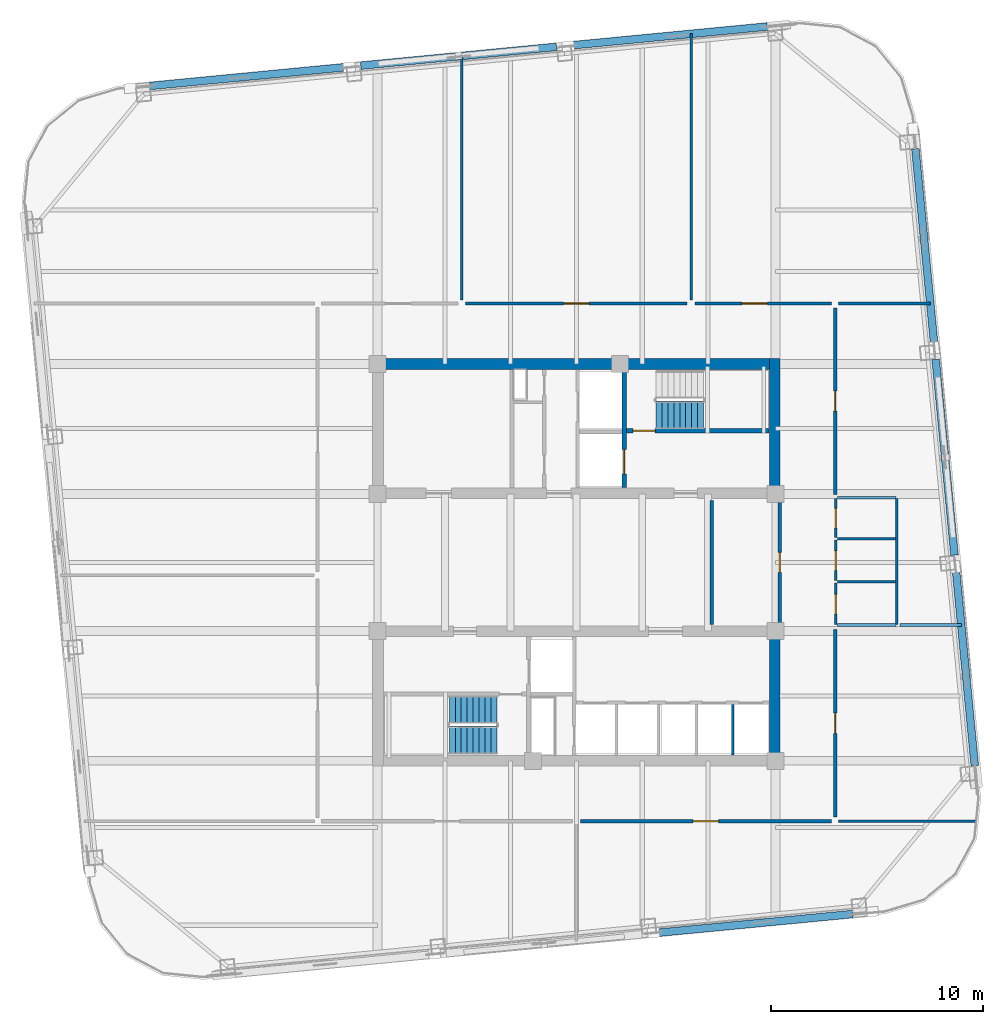
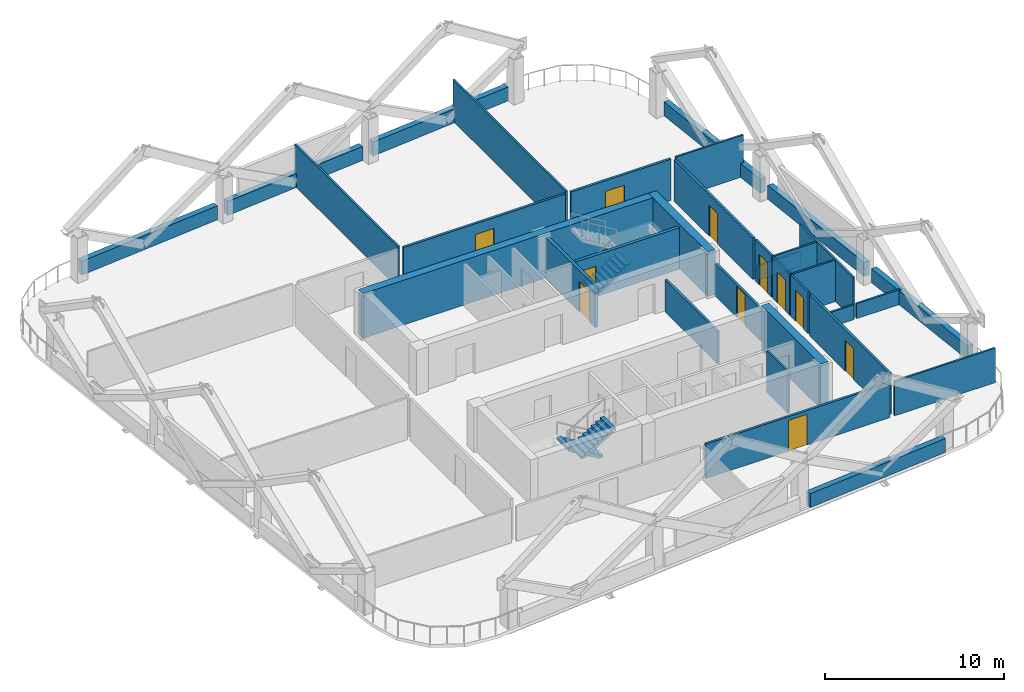
# One storey, part 5 of 9: 33 walls, 11 doors, 3 stair flights, 11 openings, 2 elements without a shape of their own.
"""IFC4 building model written with IfcOpenShell, lengths in metres."""

from ifc_helpers import new_model, si_unit, direction, frame, frame_2d, origin, place, context, subcontext, project, spatial, polyline, rectangle, outline, extrude, material, layer, layer_set, type_object, element, fill, aggregate, save


model = new_model("IFC4")

# Units and contexts
model_context = context("Model", 3, precision=1e-05, world=origin(), true_north=direction((0.0, 1.0)))
body_context = subcontext(model_context, "Body", "Model", "MODEL_VIEW")
ifc_project = project(units=[si_unit("LENGTHUNIT", "METRE"), si_unit("AREAUNIT", "SQUARE_METRE"), si_unit("VOLUMEUNIT", "CUBIC_METRE"), si_unit("PLANEANGLEUNIT", "RADIAN"), si_unit("MASSUNIT", "GRAM", prefix="KILO")], contexts=[model_context])

# Site, building, storey
site_placement = place(None, origin())
site = spatial("IfcSite", under=ifc_project, at=site_placement, CompositionType="ELEMENT")
building_placement = place(site_placement, origin())
building = spatial("IfcBuilding", under=site, at=building_placement, Name="Qhalaya Broadcast Tower", CompositionType="ELEMENT")
storey_placement = place(building_placement, frame((0.0, 0.0, 180.550048828125)))
storey = spatial("IfcBuildingStorey", under=building, at=storey_placement, Name="L53", CompositionType="ELEMENT", Elevation=180.550048828125)

# Wall
ifc_material_1 = material(Name="Gypsum Acoustic Partition")
ifc_layer_1 = layer(ifc_material_1, 0.14990234375, Name="Gypsum Acoustic Partition")
ifc_layer_set_1 = layer_set([ifc_layer_1], Name="Gypsum Acoustic Partition")
wall_type_1 = type_object("IfcWallType", Name="Corridor & Tenancy Acoustic Partition 150", PredefinedType="PARTITIONING", material=ifc_layer_set_1)
wall_1_placement = place(storey_placement, frame((6.3798828125, -2.320068359375, 0.0), z_axis=(0.0, 0.0, 1.0), x_axis=(0.0, 1.0, 0.0)))
element("IfcWall", 1, at=wall_1_placement, inside=storey, type_object=wall_type_1, Name="L53 Partition Wall W-ICHW", PredefinedType="PARTITIONING", context=body_context, shape_type="SweptSolid", body=[
    extrude(rectangle(XDim=5.840087890625, YDim=0.14990234375, at=frame_2d((2.919921875, 0.0))), origin(), (0.0, 0.0, 1.0), 2.197998046875),
])

# Wall, opening, door
wall_2_placement = place(storey_placement, frame((9.580078125, -2.320068359375, 0.0), z_axis=(0.0, 0.0, 1.0), x_axis=(0.0, 1.0, 0.0)))
wall_2 = element("IfcWall", 2, at=wall_2_placement, inside=storey, type_object=wall_type_1, Name="L53 Partition Wall W-ICHE", PredefinedType="PARTITIONING", context=body_context, shape_type="SweptSolid", body=[
    extrude(rectangle(XDim=5.840087890625, YDim=0.14990234375, at=frame_2d((2.919921875, 0.0))), origin(), (0.0, 0.0, 1.0), 2.197998046875),
])
opening_1_placement = place(wall_2_placement, frame((2.445068359375, 0.0, 0.0)))
opening_1 = element("IfcOpeningElement", 3, at=opening_1_placement, cuts=wall_2, Name="Opening D10", PredefinedType="OPENING", context=body_context, shape_type="SweptSolid", body=[
    extrude(rectangle(XDim=0.949951171875, YDim=2.10009765625, at=frame_2d((0.47509765625, 1.050048828125))), frame((0.0, 0.0869140625, 0.0), z_axis=(0.0, -1.0, 0.0), x_axis=(1.0, 0.0, 0.0)), (0.0, 0.0, 1.0), 0.173828125),
])
ifc_material_2 = material(Name="Timber Veneer Acoustic Door", Category="wood")
door_type_1 = type_object("IfcDoorType", Name="Cellular Office & Edit Booth Door D10", OperationType="NOTDEFINED", PredefinedType="DOOR", material=ifc_material_2)
door_1_placement = place(opening_1_placement, origin())
door_1 = element("IfcDoor", 4, at=door_1_placement, inside=storey, type_object=door_type_1, Name="L53 Door D-ICHE", OperationType="SINGLE_SWING_RIGHT", OverallHeight=2.10009765625, OverallWidth=0.949951171875, PredefinedType="DOOR", context=body_context, shape_type="SweptSolid", body=[
    extrude(rectangle(XDim=0.949951171875, YDim=2.10009765625, at=frame_2d((0.47509765625, 1.050048828125))), frame((0.0, 0.02490234375, 0.0), z_axis=(0.0, -1.0, 0.0), x_axis=(1.0, 0.0, 0.0)), (0.0, 0.0, 1.0), 0.050048828125),
])
fill(opening_1, door_1)

wall_3_placement = place(storey_placement, frame((-5.219970703125, 12.800048828125, 0.0), z_axis=(0.0, 0.0, 1.0), x_axis=(1.0, 0.0, 0.0)))
wall_3 = element("IfcWall", 5, at=wall_3_placement, inside=storey, type_object=wall_type_1, Name="L53 Partition Wall W-COR-02", PredefinedType="PARTITIONING", context=body_context, shape_type="SweptSolid", body=[
    extrude(rectangle(XDim=10.43994140625, YDim=0.14990234375, at=frame_2d((5.219970703125, 0.0))), origin(), (0.0, 0.0, 1.0), 2.829833984375),
])
opening_2_placement = place(wall_3_placement, frame((4.6201171875, 0.0, 0.0)))
opening_2 = element("IfcOpeningElement", 6, at=opening_2_placement, cuts=wall_3, Name="Opening D11", PredefinedType="OPENING", context=body_context, shape_type="SweptSolid", body=[
    extrude(rectangle(XDim=1.199951171875, YDim=2.10009765625, at=frame_2d((0.60009765625, 1.050048828125))), frame((0.0, 0.0869140625, 0.0), z_axis=(0.0, -1.0, 0.0), x_axis=(1.0, 0.0, 0.0)), (0.0, 0.0, 1.0), 0.173828125),
])
ifc_material_3 = material(Name="Anodised Aluminium Glazed Door", Category="aluminium")
door_type_2 = type_object("IfcDoorType", Name="Conference, Boardroom & Studio Control Door D11", OperationType="NOTDEFINED", PredefinedType="DOOR", material=ifc_material_3)
door_2_placement = place(opening_2_placement, origin())
door_2 = element("IfcDoor", 7, at=door_2_placement, inside=storey, type_object=door_type_2, Name="L53 Door D-RM02", OperationType="SINGLE_SWING_RIGHT", OverallHeight=2.10009765625, OverallWidth=1.199951171875, PredefinedType="DOOR", context=body_context, shape_type="SweptSolid", body=[
    extrude(rectangle(XDim=1.199951171875, YDim=2.10009765625, at=frame_2d((0.60009765625, 1.050048828125))), frame((0.0, 0.02490234375, 0.0), z_axis=(0.0, -1.0, 0.0), x_axis=(1.0, 0.0, 0.0)), (0.0, 0.0, 1.0), 0.050048828125),
])
fill(opening_2, door_2)

wall_4_placement = place(storey_placement, frame((5.580078125, 12.800048828125, 0.0), z_axis=(0.0, 0.0, 1.0), x_axis=(1.0, 0.0, 0.0)))
wall_4 = element("IfcWall", 8, at=wall_4_placement, inside=storey, type_object=wall_type_1, Name="L53 Partition Wall W-COR-03", PredefinedType="PARTITIONING", context=body_context, shape_type="SweptSolid", body=[
    extrude(rectangle(XDim=6.43994140625, YDim=0.14990234375, at=frame_2d((3.219970703125, 0.0))), origin(), (0.0, 0.0, 1.0), 2.829833984375),
])
opening_3_placement = place(wall_4_placement, frame((2.219970703125, 0.0, 0.0)))
opening_3 = element("IfcOpeningElement", 9, at=opening_3_placement, cuts=wall_4, Name="Opening D11", PredefinedType="OPENING", context=body_context, shape_type="SweptSolid", body=[
    extrude(rectangle(XDim=1.199951171875, YDim=2.10009765625, at=frame_2d((0.60009765625, 1.050048828125))), frame((0.0, 0.0869140625, 0.0), z_axis=(0.0, -1.0, 0.0), x_axis=(1.0, 0.0, 0.0)), (0.0, 0.0, 1.0), 0.173828125),
])
door_3_placement = place(opening_3_placement, origin())
door_3 = element("IfcDoor", 10, at=door_3_placement, inside=storey, type_object=door_type_2, Name="L53 Door D-RM03", OperationType="SINGLE_SWING_LEFT", OverallHeight=2.10009765625, OverallWidth=1.199951171875, PredefinedType="DOOR", context=body_context, shape_type="SweptSolid", body=[
    extrude(rectangle(XDim=1.199951171875, YDim=2.10009765625, at=frame_2d((0.60009765625, 1.050048828125))), frame((0.0, 0.02490234375, 0.0), z_axis=(0.0, -1.0, 0.0), x_axis=(1.0, 0.0, 0.0)), (0.0, 0.0, 1.0), 0.050048828125),
])
fill(opening_3, door_3)

wall_5_placement = place(storey_placement, frame((0.179931640625, -11.60009765625, 0.0), z_axis=(0.0, 0.0, 1.0), x_axis=(1.0, 0.0, 0.0)))
wall_5 = element("IfcWall", 11, at=wall_5_placement, inside=storey, type_object=wall_type_1, Name="L53 Partition Wall W-COR-05", PredefinedType="PARTITIONING", context=body_context, shape_type="SweptSolid", body=[
    extrude(rectangle(XDim=11.840087890625, YDim=0.14990234375, at=frame_2d((5.919921875, 0.0))), origin(), (0.0, 0.0, 1.0), 2.346923828125),
])
opening_4_placement = place(wall_5_placement, frame((5.320068359375, 0.0, 0.0)))
opening_4 = element("IfcOpeningElement", 12, at=opening_4_placement, cuts=wall_5, Name="Opening D11", PredefinedType="OPENING", context=body_context, shape_type="SweptSolid", body=[
    extrude(rectangle(XDim=1.199951171875, YDim=2.10009765625, at=frame_2d((0.60009765625, 1.050048828125))), frame((0.0, 0.0869140625, 0.0), z_axis=(0.0, -1.0, 0.0), x_axis=(1.0, 0.0, 0.0)), (0.0, 0.0, 1.0), 0.173828125),
])
door_4_placement = place(opening_4_placement, origin())
door_4 = element("IfcDoor", 13, at=door_4_placement, inside=storey, type_object=door_type_2, Name="L53 Door D-RM05", OperationType="SINGLE_SWING_LEFT", OverallHeight=2.10009765625, OverallWidth=1.199951171875, PredefinedType="DOOR", context=body_context, shape_type="SweptSolid", body=[
    extrude(rectangle(XDim=1.199951171875, YDim=2.10009765625, at=frame_2d((0.60009765625, 1.050048828125))), frame((0.0, 0.02490234375, 0.0), z_axis=(0.0, -1.0, 0.0), x_axis=(1.0, 0.0, 0.0)), (0.0, 0.0, 1.0), 0.050048828125),
])
fill(opening_4, door_4)

wall_6_placement = place(storey_placement, frame((12.199951171875, -11.39990234375, 0.0), z_axis=(0.0, 0.0, 1.0), x_axis=(0.0, 1.0, 0.0)))
wall_6 = element("IfcWall", 14, at=wall_6_placement, inside=storey, type_object=wall_type_1, Name="L53 Partition Wall W-COR-08", PredefinedType="PARTITIONING", context=body_context, shape_type="SweptSolid", body=[
    extrude(rectangle(XDim=8.83984375, YDim=0.14990234375, at=frame_2d((4.419921875, 0.0))), origin(), (0.0, 0.0, 1.0), 2.829833984375),
])
opening_5_placement = place(wall_6_placement, frame((3.945068359375, 0.0, 0.0)))
opening_5 = element("IfcOpeningElement", 15, at=opening_5_placement, cuts=wall_6, Name="Opening D10", PredefinedType="OPENING", context=body_context, shape_type="SweptSolid", body=[
    extrude(rectangle(XDim=0.949951171875, YDim=2.10009765625, at=frame_2d((0.47509765625, 1.050048828125))), frame((0.0, 0.0869140625, 0.0), z_axis=(0.0, -1.0, 0.0), x_axis=(1.0, 0.0, 0.0)), (0.0, 0.0, 1.0), 0.173828125),
])
door_5_placement = place(opening_5_placement, origin())
door_5 = element("IfcDoor", 16, at=door_5_placement, inside=storey, type_object=door_type_1, Name="L53 Door D-RM08", OperationType="SINGLE_SWING_RIGHT", OverallHeight=2.10009765625, OverallWidth=0.949951171875, PredefinedType="DOOR", context=body_context, shape_type="SweptSolid", body=[
    extrude(rectangle(XDim=0.949951171875, YDim=2.10009765625, at=frame_2d((0.47509765625, 1.050048828125))), frame((0.0, 0.02490234375, 0.0), z_axis=(0.0, -1.0, 0.0), x_axis=(1.0, 0.0, 0.0)), (0.0, 0.0, 1.0), 0.050048828125),
])
fill(opening_5, door_5)

wall_7_placement = place(storey_placement, frame((12.199951171875, 3.800048828125, 0.0), z_axis=(0.0, 0.0, 1.0), x_axis=(0.0, 1.0, 0.0)))
wall_7 = element("IfcWall", 17, at=wall_7_placement, inside=storey, type_object=wall_type_1, Name="L53 Partition Wall W-COR-09", PredefinedType="PARTITIONING", context=body_context, shape_type="SweptSolid", body=[
    extrude(rectangle(XDim=8.800048828125, YDim=0.14990234375, at=frame_2d((4.39990234375, 0.0))), origin(), (0.0, 0.0, 1.0), 2.829833984375),
])
opening_6_placement = place(wall_7_placement, frame((3.925048828125, 0.0, 0.0)))
opening_6 = element("IfcOpeningElement", 18, at=opening_6_placement, cuts=wall_7, Name="Opening D10", PredefinedType="OPENING", context=body_context, shape_type="SweptSolid", body=[
    extrude(rectangle(XDim=0.949951171875, YDim=2.10009765625, at=frame_2d((0.47509765625, 1.050048828125))), frame((0.0, 0.0869140625, 0.0), z_axis=(0.0, -1.0, 0.0), x_axis=(1.0, 0.0, 0.0)), (0.0, 0.0, 1.0), 0.173828125),
])
door_6_placement = place(opening_6_placement, origin())
door_6 = element("IfcDoor", 19, at=door_6_placement, inside=storey, type_object=door_type_1, Name="L53 Door D-RM09", OperationType="SINGLE_SWING_LEFT", OverallHeight=2.10009765625, OverallWidth=0.949951171875, PredefinedType="DOOR", context=body_context, shape_type="SweptSolid", body=[
    extrude(rectangle(XDim=0.949951171875, YDim=2.10009765625, at=frame_2d((0.47509765625, 1.050048828125))), frame((0.0, 0.02490234375, 0.0), z_axis=(0.0, -1.0, 0.0), x_axis=(1.0, 0.0, 0.0)), (0.0, 0.0, 1.0), 0.050048828125),
])
fill(opening_6, door_6)

# Walls
ifc_material_4 = material(Name="Precast Concrete C40/50", Category="concrete")
ifc_layer_2 = layer(ifc_material_4, 0.360107421875, Name="Precast Concrete C40/50")
ifc_layer_set_2 = layer_set([ifc_layer_2], Name="Precast Concrete C40/50")
wall_type_2 = type_object("IfcWallType", Name="Insulated Precast Terracotta Exterior Wall 360", PredefinedType="SOLIDWALL", material=ifc_layer_set_2)
for number, where, z_axis, x_axis, name in (
    (20, (13.018310546875, -15.972900390625, 0.0), (0.0, 0.0, 1.0), (-0.995397741315, -0.095829727039, 0.0), "L53 Exoskeleton Diagrid Infill Wall S1"),
    (21, (15.972900390625, 20.098388671875, 0.0), (0.0, 0.0, 1.0), (0.095829727039, -0.995397741315, 0.0), "L53 Exoskeleton Diagrid Infill Wall E1"),
):
    element("IfcWall", number, at=place(storey_placement, frame(where, z_axis=z_axis, x_axis=x_axis)), inside=storey, type_object=wall_type_2, Name=name, PredefinedType="SOLIDWALL", context=body_context, shape_type="SweptSolid", body=[
        extrude(rectangle(XDim=9.278564453125, YDim=0.360107421875, at=frame_2d((4.63916015625, 0.0))), origin(), (0.0, 0.0, 1.0), 0.949951171875),
    ])
wall_8_placement = place(storey_placement, frame((16.92919921875, 10.165771484375, 0.0), z_axis=(0.0, 0.0, 1.0), x_axis=(0.095845939971, -0.995396180318, 0.0)))
element("IfcWall", 22, at=wall_8_placement, inside=storey, type_object=wall_type_2, Name="L53 Exoskeleton Diagrid Infill Wall E2", PredefinedType="SOLIDWALL", context=body_context, shape_type="SweptSolid", body=[
    extrude(rectangle(XDim=9.266845703125, YDim=0.360107421875, at=frame_2d((4.63330078125, 0.0))), origin(), (0.0, 0.0, 1.0), 0.949951171875),
])
for number, where, z_axis, x_axis, name in (
    (23, (17.884521484375, 0.244873046875, 0.0), (0.0, 0.0, 1.0), (0.095829727039, -0.995397741315, 0.0), "L53 Exoskeleton Diagrid Infill Wall E3"),
    (24, (-20.098388671875, 23.052734375, 0.0), (0.0, 0.0, 1.0), (0.995395231076, 0.095855797695, 0.0), "L53 Exoskeleton Diagrid Infill Wall N1"),
):
    element("IfcWall", number, at=place(storey_placement, frame(where, z_axis=z_axis, x_axis=x_axis)), inside=storey, type_object=wall_type_2, Name=name, PredefinedType="SOLIDWALL", context=body_context, shape_type="SweptSolid", body=[
        extrude(rectangle(XDim=9.278564453125, YDim=0.360107421875, at=frame_2d((4.63916015625, 0.0))), origin(), (0.0, 0.0, 1.0), 0.949951171875),
    ])
wall_9_placement = place(storey_placement, frame((-10.165771484375, 24.00927734375, 0.0), z_axis=(0.0, 0.0, 1.0), x_axis=(0.995396180318, 0.095845939971, 0.0)))
element("IfcWall", 25, at=wall_9_placement, inside=storey, type_object=wall_type_2, Name="L53 Exoskeleton Diagrid Infill Wall N2", PredefinedType="SOLIDWALL", context=body_context, shape_type="SweptSolid", body=[
    extrude(rectangle(XDim=9.266845703125, YDim=0.360107421875, at=frame_2d((4.63330078125, 0.0))), origin(), (0.0, 0.0, 1.0), 0.949951171875),
])
wall_10_placement = place(storey_placement, frame((-0.244873046875, 24.964599609375, 0.0), z_axis=(0.0, 0.0, 1.0), x_axis=(0.995397741315, 0.095829727039, 0.0)))
element("IfcWall", 26, at=wall_10_placement, inside=storey, type_object=wall_type_2, Name="L53 Exoskeleton Diagrid Infill Wall N3", PredefinedType="SOLIDWALL", context=body_context, shape_type="SweptSolid", body=[
    extrude(rectangle(XDim=9.278564453125, YDim=0.360107421875, at=frame_2d((4.63916015625, 0.0))), origin(), (0.0, 0.0, 1.0), 0.949951171875),
])

# Wall, opening, door
ifc_material_5 = material(Name="Concrete C50/60", Category="concrete")
ifc_layer_3 = layer(ifc_material_5, 0.199951171875, Name="Concrete C50/60")
ifc_layer_set_3 = layer_set([ifc_layer_3], Name="Concrete C50/60")
wall_type_3 = type_object("IfcWallType", Name="Load-Bearing Stair Shaft Wall 200", PredefinedType="SHEAR", material=ifc_layer_set_3)
wall_11_placement = place(storey_placement, frame((2.360107421875, 6.804931640625, 0.0), z_axis=(0.0, 0.0, 1.0), x_axis=(1.0, 0.0, 0.0)))
wall_11 = element("IfcWall", 27, at=wall_11_placement, inside=storey, type_object=wall_type_3, Name="L53 Stair Core Shear Wall NCW-ST1", PredefinedType="SHEAR", context=body_context, shape_type="SweptSolid", body=[
    extrude(rectangle(XDim=6.719970703125, YDim=0.199951171875, at=frame_2d((3.35986328125, 0.0))), origin(), (0.0, 0.0, 1.0), 2.829833984375),
])
opening_7_placement = place(wall_11_placement, frame((0.300048828125, 0.0, 0.0)))
opening_7 = element("IfcOpeningElement", 28, at=opening_7_placement, cuts=wall_11, Name="Opening D03", PredefinedType="OPENING", context=body_context, shape_type="SweptSolid", body=[
    extrude(rectangle(XDim=1.050048828125, YDim=2.080078125, at=frame_2d((0.52490234375, 1.0400390625))), frame((0.0, 0.112060546875, 0.0), z_axis=(0.0, -1.0, 0.0), x_axis=(1.0, 0.0, 0.0)), (0.0, 0.0, 1.0), 0.223876953125),
])
ifc_material_6 = material(Name="Fire-Rated Steel Door", Category="steel")
door_type_3 = type_object("IfcDoorType", Name="Core Stair Protected Fire Door D03", OperationType="NOTDEFINED", PredefinedType="DOOR", material=ifc_material_6)
door_7_placement = place(opening_7_placement, origin())
door_7 = element("IfcDoor", 29, at=door_7_placement, inside=storey, type_object=door_type_3, Name="L53 Door D-NST1", OperationType="SINGLE_SWING_LEFT", OverallHeight=2.080078125, OverallWidth=1.050048828125, PredefinedType="DOOR", context=body_context, shape_type="SweptSolid", body=[
    extrude(rectangle(XDim=1.050048828125, YDim=2.080078125, at=frame_2d((0.52490234375, 1.0400390625))), frame((0.0, 0.02490234375, 0.0), z_axis=(0.0, -1.0, 0.0), x_axis=(1.0, 0.0, 0.0)), (0.0, 0.0, 1.0), 0.050048828125),
])
fill(opening_7, door_7)

wall_12_placement = place(storey_placement, frame((2.25, 4.1201171875, 0.0), z_axis=(0.0, 0.0, 1.0), x_axis=(0.0, 1.0, 0.0)))
wall_12 = element("IfcWall", 30, at=wall_12_placement, inside=storey, type_object=wall_type_3, Name="L53 Stair Core Shear Wall NCW-FF", PredefinedType="SHEAR", context=body_context, shape_type="SweptSolid", body=[
    extrude(rectangle(XDim=5.559814453125, YDim=0.199951171875, at=frame_2d((2.77978515625, 0.0))), origin(), (0.0, 0.0, 1.0), 2.829833984375),
])
opening_8_placement = place(wall_12_placement, frame((0.64990234375, 0.0, 0.0)))
opening_8 = element("IfcOpeningElement", 31, at=opening_8_placement, cuts=wall_12, Name="Opening LD2", PredefinedType="OPENING", context=body_context, shape_type="SweptSolid", body=[
    extrude(rectangle(XDim=1.14990234375, YDim=2.080078125, at=frame_2d((0.574951171875, 1.0400390625))), frame((0.0, 0.112060546875, 0.0), z_axis=(0.0, -1.0, 0.0), x_axis=(1.0, 0.0, 0.0)), (0.0, 0.0, 1.0), 0.223876953125),
])
ifc_material_7 = material(Name="Brushed Stainless Steel Lift Door", Category="steel")
door_type_4 = type_object("IfcDoorType", Name="Firefighting Lift Sliding Landing Door LD2", OperationType="DOUBLE_DOOR_SLIDING", PredefinedType="DOOR", material=ifc_material_7)
door_8_placement = place(opening_8_placement, origin())
door_8 = element("IfcDoor", 32, at=door_8_placement, inside=storey, type_object=door_type_4, Name="L53 Door LD-FF1", OperationType="DOUBLE_DOOR_SLIDING", OverallHeight=2.080078125, OverallWidth=1.14990234375, PredefinedType="DOOR", context=body_context, shape_type="SweptSolid", body=[
    extrude(rectangle(XDim=1.14990234375, YDim=2.080078125, at=frame_2d((0.574951171875, 1.0400390625))), frame((0.0, 0.02490234375, 0.0), z_axis=(0.0, -1.0, 0.0), x_axis=(1.0, 0.0, 0.0)), (0.0, 0.0, 1.0), 0.050048828125),
])
fill(opening_8, door_8)

# Walls
ifc_layer_4 = layer(ifc_material_5, 0.5, Name="Concrete C50/60")
ifc_layer_set_4 = layer_set([ifc_layer_4], Name="Concrete C50/60")
wall_type_4 = type_object("IfcWallType", Name="Mid Split-Core Shear Wall 500", PredefinedType="SHEAR", material=ifc_layer_set_4)
wall_13_placement = place(storey_placement, frame((-9.60009765625, 9.949951171875, 0.0), z_axis=(0.0, 0.0, 1.0), x_axis=(1.0, 0.0, 0.0)))
element("IfcWall", 33, at=wall_13_placement, inside=storey, type_object=wall_type_4, Name="L53 Split-Core Shear Wall CW-NN", PredefinedType="SHEAR", context=body_context, shape_type="SweptSolid", body=[
    extrude(rectangle(XDim=19.2001953125, YDim=0.5, at=frame_2d((9.60009765625, 0.0))), origin(), (0.0, 0.0, 1.0), 3.050048828125),
])
wall_14_placement = place(storey_placement, frame((9.35009765625, 3.60009765625, 0.0), z_axis=(0.0, 0.0, 1.0), x_axis=(0.0, 1.0, 0.0)))
element("IfcWall", 34, at=wall_14_placement, inside=storey, type_object=wall_type_4, Name="L53 Split-Core Shear Wall CW-NE", PredefinedType="SHEAR", context=body_context, shape_type="SweptSolid", body=[
    extrude(rectangle(XDim=6.599853515625, YDim=0.5, at=frame_2d((3.2998046875, 0.0))), origin(), (0.0, 0.0, 1.0), 3.050048828125),
])
wall_15_placement = place(storey_placement, frame((9.35009765625, -9.0, 0.0), z_axis=(0.0, 0.0, 1.0), x_axis=(0.0, 1.0, 0.0)))
element("IfcWall", 35, at=wall_15_placement, inside=storey, type_object=wall_type_4, Name="L53 Split-Core Shear Wall CW-SE", PredefinedType="SHEAR", context=body_context, shape_type="SweptSolid", body=[
    extrude(rectangle(XDim=6.60009765625, YDim=0.5, at=frame_2d((3.300048828125, 0.0))), origin(), (0.0, 0.0, 1.0), 3.050048828125),
])
ifc_layer_5 = layer(ifc_material_1, 0.1201171875, Name="Gypsum Acoustic Partition")
ifc_layer_set_5 = layer_set([ifc_layer_5], Name="Gypsum Acoustic Partition")
wall_type_5 = type_object("IfcWallType", Name="Office, Booth & Sanitary Partition 120", PredefinedType="PARTITIONING", material=ifc_layer_set_5)
wall_16_placement = place(storey_placement, frame((7.360107421875, -8.47998046875, 0.0), z_axis=(0.0, 0.0, 1.0), x_axis=(0.0, 1.0, 0.0)))
element("IfcWall", 36, at=wall_16_placement, inside=storey, type_object=wall_type_5, Name="L53 Partition Wall SCW-HD7", PredefinedType="PARTITIONING", context=body_context, shape_type="SweptSolid", body=[
    extrude(rectangle(XDim=2.3798828125, YDim=0.1201171875, at=frame_2d((1.18994140625, 0.0))), origin(), (0.0, 0.0, 1.0), 2.829833984375),
])

# Wall, opening, door
wall_17_placement = place(storey_placement, frame((12.219970703125, -2.320068359375, 0.0), z_axis=(0.0, 0.0, 1.0), x_axis=(0.0, 1.0, 0.0)))
wall_17 = element("IfcWall", 37, at=wall_17_placement, inside=storey, type_object=wall_type_5, Name="L53 Partition Wall W-WCWA", PredefinedType="PARTITIONING", context=body_context, shape_type="SweptSolid", body=[
    extrude(rectangle(XDim=1.940185546875, YDim=0.1201171875, at=frame_2d((0.97021484375, 0.0))), origin(), (0.0, 0.0, 1.0), 2.829833984375),
])
opening_9_placement = place(wall_17_placement, frame((0.4951171875, 0.0, 0.0)))
opening_9 = element("IfcOpeningElement", 38, at=opening_9_placement, cuts=wall_17, Name="Opening D12", PredefinedType="OPENING", context=body_context, shape_type="SweptSolid", body=[
    extrude(rectangle(XDim=0.919921875, YDim=2.10009765625, at=frame_2d((0.4599609375, 1.050048828125))), frame((0.0, 0.072021484375, 0.0), z_axis=(0.0, -1.0, 0.0), x_axis=(1.0, 0.0, 0.0)), (0.0, 0.0, 1.0), 0.14404296875),
])
door_type_5 = type_object("IfcDoorType", Name="Accessible WC & Restroom Door D12", OperationType="NOTDEFINED", PredefinedType="DOOR", material=ifc_material_2)
door_9_placement = place(opening_9_placement, origin())
door_9 = element("IfcDoor", 39, at=door_9_placement, inside=storey, type_object=door_type_5, Name="L53 Door D-WCA", OperationType="SINGLE_SWING_LEFT", OverallHeight=2.10009765625, OverallWidth=0.919921875, PredefinedType="DOOR", context=body_context, shape_type="SweptSolid", body=[
    extrude(rectangle(XDim=0.919921875, YDim=2.10009765625, at=frame_2d((0.4599609375, 1.050048828125))), frame((0.0, 0.02490234375, 0.0), z_axis=(0.0, -1.0, 0.0), x_axis=(1.0, 0.0, 0.0)), (0.0, 0.0, 1.0), 0.050048828125),
])
fill(opening_9, door_9)

wall_18_placement = place(storey_placement, frame((12.219970703125, -0.25, 0.0), z_axis=(0.0, 0.0, 1.0), x_axis=(0.0, 1.0, 0.0)))
wall_18 = element("IfcWall", 40, at=wall_18_placement, inside=storey, type_object=wall_type_5, Name="L53 Partition Wall W-WCWM", PredefinedType="PARTITIONING", context=body_context, shape_type="SweptSolid", body=[
    extrude(rectangle(XDim=1.89990234375, YDim=0.1201171875, at=frame_2d((0.949951171875, 0.0))), origin(), (0.0, 0.0, 1.0), 2.829833984375),
])
opening_10_placement = place(wall_18_placement, frame((0.47509765625, 0.0, 0.0)))
opening_10 = element("IfcOpeningElement", 41, at=opening_10_placement, cuts=wall_18, Name="Opening D12", PredefinedType="OPENING", context=body_context, shape_type="SweptSolid", body=[
    extrude(rectangle(XDim=0.919921875, YDim=2.10009765625, at=frame_2d((0.4599609375, 1.050048828125))), frame((0.0, 0.072021484375, 0.0), z_axis=(0.0, -1.0, 0.0), x_axis=(1.0, 0.0, 0.0)), (0.0, 0.0, 1.0), 0.14404296875),
])
door_10_placement = place(opening_10_placement, origin())
door_10 = element("IfcDoor", 42, at=door_10_placement, inside=storey, type_object=door_type_5, Name="L53 Door D-WCM", OperationType="SINGLE_SWING_RIGHT", OverallHeight=2.10009765625, OverallWidth=0.919921875, PredefinedType="DOOR", context=body_context, shape_type="SweptSolid", body=[
    extrude(rectangle(XDim=0.919921875, YDim=2.10009765625, at=frame_2d((0.4599609375, 1.050048828125))), frame((0.0, 0.02490234375, 0.0), z_axis=(0.0, -1.0, 0.0), x_axis=(1.0, 0.0, 0.0)), (0.0, 0.0, 1.0), 0.050048828125),
])
fill(opening_10, door_10)

wall_19_placement = place(storey_placement, frame((12.219970703125, 1.780029296875, 0.0), z_axis=(0.0, 0.0, 1.0), x_axis=(0.0, 1.0, 0.0)))
wall_19 = element("IfcWall", 43, at=wall_19_placement, inside=storey, type_object=wall_type_5, Name="L53 Partition Wall W-WCWF", PredefinedType="PARTITIONING", context=body_context, shape_type="SweptSolid", body=[
    extrude(rectangle(XDim=1.830078125, YDim=0.1201171875, at=frame_2d((0.9150390625, 0.0))), origin(), (0.0, 0.0, 1.0), 2.829833984375),
])
opening_11_placement = place(wall_19_placement, frame((0.43994140625, 0.0, 0.0)))
opening_11 = element("IfcOpeningElement", 44, at=opening_11_placement, cuts=wall_19, Name="Opening D12", PredefinedType="OPENING", context=body_context, shape_type="SweptSolid", body=[
    extrude(rectangle(XDim=0.919921875, YDim=2.10009765625, at=frame_2d((0.4599609375, 1.050048828125))), frame((0.0, 0.072021484375, 0.0), z_axis=(0.0, -1.0, 0.0), x_axis=(1.0, 0.0, 0.0)), (0.0, 0.0, 1.0), 0.14404296875),
])
door_11_placement = place(opening_11_placement, origin())
door_11 = element("IfcDoor", 45, at=door_11_placement, inside=storey, type_object=door_type_5, Name="L53 Door D-WCF", OperationType="SINGLE_SWING_LEFT", OverallHeight=2.10009765625, OverallWidth=0.919921875, PredefinedType="DOOR", context=body_context, shape_type="SweptSolid", body=[
    extrude(rectangle(XDim=0.919921875, YDim=2.10009765625, at=frame_2d((0.4599609375, 1.050048828125))), frame((0.0, 0.02490234375, 0.0), z_axis=(0.0, -1.0, 0.0), x_axis=(1.0, 0.0, 0.0)), (0.0, 0.0, 1.0), 0.050048828125),
])
fill(opening_11, door_11)

# Walls
wall_20_placement = place(storey_placement, frame((15.10009765625, -2.320068359375, 0.0), z_axis=(0.0, 0.0, 1.0), x_axis=(0.0, 1.0, 0.0)))
element("IfcWall", 46, at=wall_20_placement, inside=storey, type_object=wall_type_5, Name="L53 Partition Wall W-WCE", PredefinedType="PARTITIONING", context=body_context, shape_type="SweptSolid", body=[
    extrude(rectangle(XDim=5.93017578125, YDim=0.1201171875, at=frame_2d((2.965087890625, 0.0))), origin(), (0.0, 0.0, 1.0), 2.829833984375),
])
for number, where, z_axis, x_axis, name in (
    (47, (12.31005859375, -2.35009765625, 0.0), (0.0, 0.0, 1.0), (1.0, 0.0, 0.0), "L53 Partition Wall W-WCS"),
    (48, (12.31005859375, 3.639892578125, 0.0), (0.0, 0.0, 1.0), (1.0, 0.0, 0.0), "L53 Partition Wall W-WCN"),
):
    element("IfcWall", number, at=place(storey_placement, frame(where, z_axis=z_axis, x_axis=x_axis)), inside=storey, type_object=wall_type_5, Name=name, PredefinedType="PARTITIONING", context=body_context, shape_type="SweptSolid", body=[
        extrude(rectangle(XDim=2.760009765625, YDim=0.1201171875, at=frame_2d((1.3798828125, 0.0))), origin(), (0.0, 0.0, 1.0), 1.010009765625),
    ])
for number, where, z_axis, x_axis, name in (
    (49, (12.31005859375, -0.320068359375, 0.0), (0.0, 0.0, 1.0), (1.0, 0.0, 0.0), "L53 Partition Wall W-WCD1"),
    (50, (12.31005859375, 1.719970703125, 0.0), (0.0, 0.0, 1.0), (1.0, 0.0, 0.0), "L53 Partition Wall W-WCD2"),
):
    element("IfcWall", number, at=place(storey_placement, frame(where, z_axis=z_axis, x_axis=x_axis)), inside=storey, type_object=wall_type_5, Name=name, PredefinedType="PARTITIONING", context=body_context, shape_type="SweptSolid", body=[
        extrude(rectangle(XDim=2.719970703125, YDim=0.1201171875, at=frame_2d((1.35986328125, 0.0))), origin(), (0.0, 0.0, 1.0), 2.829833984375),
    ])
wall_21_placement = place(storey_placement, frame((12.340087890625, 12.800048828125, 0.0), z_axis=(0.0, 0.0, 1.0), x_axis=(1.0, 0.0, 0.0)))
element("IfcWall", 51, at=wall_21_placement, inside=storey, type_object=wall_type_5, Name="L53 Partition Wall W-BNDE1", PredefinedType="PARTITIONING", context=body_context, shape_type="SweptSolid", body=[
    extrude(rectangle(XDim=4.35546875, YDim=0.1201171875, at=frame_2d((2.177734375, 0.0))), origin(), (0.0, 0.0, 1.0), 2.829833984375),
])
wall_22_placement = place(storey_placement, frame((12.340087890625, -11.60009765625, 0.0), z_axis=(0.0, 0.0, 1.0), x_axis=(1.0, 0.0, 0.0)))
element("IfcWall", 52, at=wall_22_placement, inside=storey, type_object=wall_type_5, Name="L53 Partition Wall W-BNDE2", PredefinedType="PARTITIONING", context=body_context, shape_type="SweptSolid", body=[
    extrude(rectangle(XDim=6.489990234375, YDim=0.1201171875, at=frame_2d((3.2451171875, 0.0))), origin(), (0.0, 0.0, 1.0), 2.346923828125),
])
wall_23_placement = place(storey_placement, frame((-5.39990234375, 12.9599609375, 0.0), z_axis=(0.0, 0.0, 1.0), x_axis=(0.0, 1.0, 0.0)))
element("IfcWall", 53, at=wall_23_placement, inside=storey, type_object=wall_type_5, Name="L53 Partition Wall W-DIVN1", PredefinedType="PARTITIONING", context=body_context, shape_type="SweptSolid", body=[
    extrude(rectangle(XDim=11.528076171875, YDim=0.1201171875, at=frame_2d((5.76416015625, 0.0))), origin(), (0.0, 0.0, 1.0), 2.829833984375),
])
wall_24_placement = place(storey_placement, frame((5.39990234375, 12.9599609375, 0.0), z_axis=(0.0, 0.0, 1.0), x_axis=(0.0, 1.0, 0.0)))
element("IfcWall", 54, at=wall_24_placement, inside=storey, type_object=wall_type_5, Name="L53 Partition Wall W-DIVN2", PredefinedType="PARTITIONING", context=body_context, shape_type="SweptSolid", body=[
    extrude(rectangle(XDim=12.568115234375, YDim=0.1201171875, at=frame_2d((6.2841796875, 0.0))), origin(), (0.0, 0.0, 1.0), 2.829833984375),
])
wall_25_placement = place(storey_placement, frame((15.239990234375, -2.35009765625, 0.0), z_axis=(0.0, 0.0, 1.0), x_axis=(1.0, 0.0, 0.0)))
element("IfcWall", 55, at=wall_25_placement, inside=storey, type_object=wall_type_5, Name="L53 Partition Wall W-DIVE-WC", PredefinedType="PARTITIONING", context=body_context, shape_type="SweptSolid", body=[
    extrude(rectangle(XDim=2.914306640625, YDim=0.1201171875, at=frame_2d((1.45703125, 0.0))), origin(), (0.0, 0.0, 1.0), 1.010009765625),
])

# Stair, stair flight
ifc_material_8 = material(Name="Concrete C40/50", Category="concrete")
stair_type = type_object("IfcStairType", Name="Protected Dogleg Core Stair 3150", PredefinedType="TWO_STRAIGHT_RUN_STAIR", material=ifc_material_8)
stair_1_placement = place(storey_placement, origin())
stair_1 = element("IfcStair", 56, at=stair_1_placement, inside=storey, type_object=stair_type, Name="L53 North Core Exit Stair ST-1", PredefinedType="TWO_STRAIGHT_RUN_STAIR")
stair_flight_type = type_object("IfcStairFlightType", Name="Precast Concrete Stair Flight 3150", PredefinedType="STRAIGHT", material=ifc_material_4)
stair_flight_1_placement = place(storey_placement, frame((3.75, 7.5400390625, 0.0), z_axis=(0.0, 0.0, 1.0), x_axis=(1.0, 0.0, 0.0)))
stair_flight_1 = element("IfcStairFlight", 57, at=stair_flight_1_placement, type_object=stair_flight_type, Name="ST-1 flight 1", NumberOfRisers=9, NumberOfTreads=8, PredefinedType="STRAIGHT", RiserHeight=0.169444444, TreadLength=0.28, context=body_context, shape_type="SweptSolid", body=[
    extrude(outline(polyline([(0.0, 0.0), (0.0, 0.16943359375), (0.280029296875, 0.16943359375), (0.280029296875, 0.3388671875), (0.56005859375, 0.3388671875), (0.56005859375, 0.50830078125), (0.840087890625, 0.50830078125), (0.840087890625, 0.677734375), (1.1201171875, 0.677734375), (1.1201171875, 0.84716796875), (1.39990234375, 0.84716796875), (1.39990234375, 1.0166015625), (1.679931640625, 1.0166015625), (1.679931640625, 1.18603515625), (1.9599609375, 1.18603515625), (1.9599609375, 1.35546875), (2.239990234375, 1.35546875), (2.239990234375, 1.52490234375), (2.239990234375, 1.180419921875), (0.28955078125, 0.0), (0.0, 0.0)])), frame((0.0, 0.66015625, 0.0), z_axis=(0.0, -1.0, 0.0), x_axis=(1.0, 0.0, 0.0)), (0.0, 0.0, 1.0), 1.320068359375),
])
aggregate(stair_1, [stair_flight_1])

# Stair, stair flights
stair_2_placement = place(storey_placement, origin())
stair_2 = element("IfcStair", 58, at=stair_2_placement, inside=storey, type_object=stair_type, Name="L53 South Core Exit Stair ST-2", PredefinedType="TWO_STRAIGHT_RUN_STAIR")
stair_flight_2_placement = place(storey_placement, frame((-3.75, -6.340087890625, 0.0), z_axis=(0.0, 0.0, 1.0), x_axis=(-1.0, 0.0, 0.0)))
stair_flight_2 = element("IfcStairFlight", 59, at=stair_flight_2_placement, type_object=stair_flight_type, Name="ST-2 flight 1", NumberOfRisers=9, NumberOfTreads=8, PredefinedType="STRAIGHT", RiserHeight=0.169444444, TreadLength=0.28, context=body_context, shape_type="SweptSolid", body=[
    extrude(outline(polyline([(0.0, 0.0), (0.0, 0.16943359375), (0.280029296875, 0.16943359375), (0.280029296875, 0.3388671875), (0.56005859375, 0.3388671875), (0.56005859375, 0.50830078125), (0.840087890625, 0.50830078125), (0.840087890625, 0.677734375), (1.1201171875, 0.677734375), (1.1201171875, 0.84716796875), (1.39990234375, 0.84716796875), (1.39990234375, 1.0166015625), (1.679931640625, 1.0166015625), (1.679931640625, 1.18603515625), (1.9599609375, 1.18603515625), (1.9599609375, 1.35546875), (2.239990234375, 1.35546875), (2.239990234375, 1.52490234375), (2.239990234375, 1.180419921875), (0.28955078125, 0.0), (0.0, 0.0)])), frame((0.0, 0.66015625, 0.0), z_axis=(0.0, -1.0, 0.0), x_axis=(1.0, 0.0, 0.0)), (0.0, 0.0, 1.0), 1.320068359375),
])
stair_flight_3_placement = place(storey_placement, frame((-5.989990234375, -7.780029296875, 1.52490234375), z_axis=(0.0, 0.0, 1.0), x_axis=(1.0, 0.0, 0.0)))
stair_flight_3 = element("IfcStairFlight", 60, at=stair_flight_3_placement, type_object=stair_flight_type, Name="ST-2 flight 2", NumberOfRisers=9, NumberOfTreads=8, PredefinedType="STRAIGHT", RiserHeight=0.169444444, TreadLength=0.28, context=body_context, shape_type="SweptSolid", body=[
    extrude(outline(polyline([(0.0, 0.0), (0.0, 0.16943359375), (0.280029296875, 0.16943359375), (0.280029296875, 0.3388671875), (0.56005859375, 0.3388671875), (0.56005859375, 0.50830078125), (0.840087890625, 0.50830078125), (0.840087890625, 0.677734375), (1.1201171875, 0.677734375), (1.1201171875, 0.84716796875), (1.39990234375, 0.84716796875), (1.39990234375, 1.0166015625), (1.679931640625, 1.0166015625), (1.679931640625, 1.18603515625), (1.9599609375, 1.18603515625), (1.9599609375, 1.35546875), (2.239990234375, 1.35546875), (2.239990234375, 1.52490234375), (2.239990234375, 1.180419921875), (0.28955078125, 0.0), (0.0, 0.0)])), frame((0.0, 0.66015625, 0.0), z_axis=(0.0, -1.0, 0.0), x_axis=(1.0, 0.0, 0.0)), (0.0, 0.0, 1.0), 1.320068359375),
])
aggregate(stair_2, [stair_flight_2, stair_flight_3])

save(model, "model.ifc")
